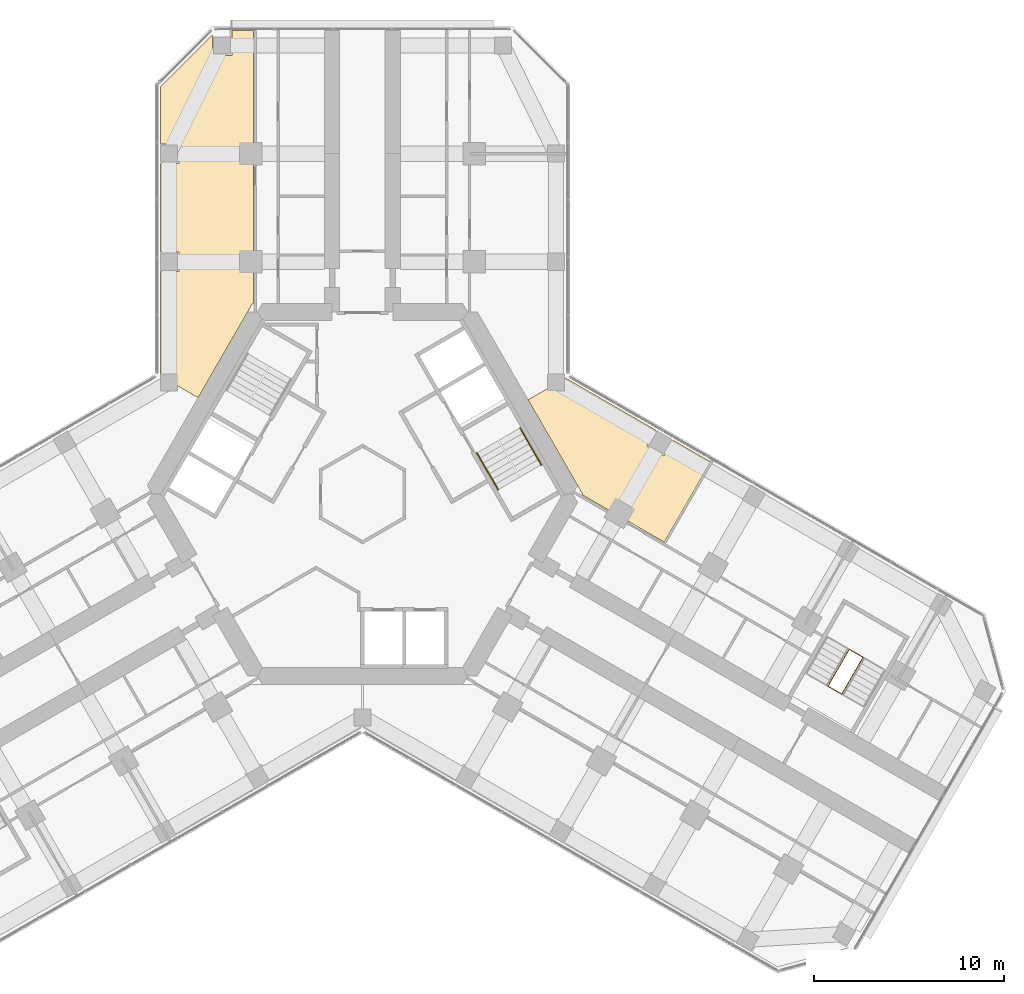
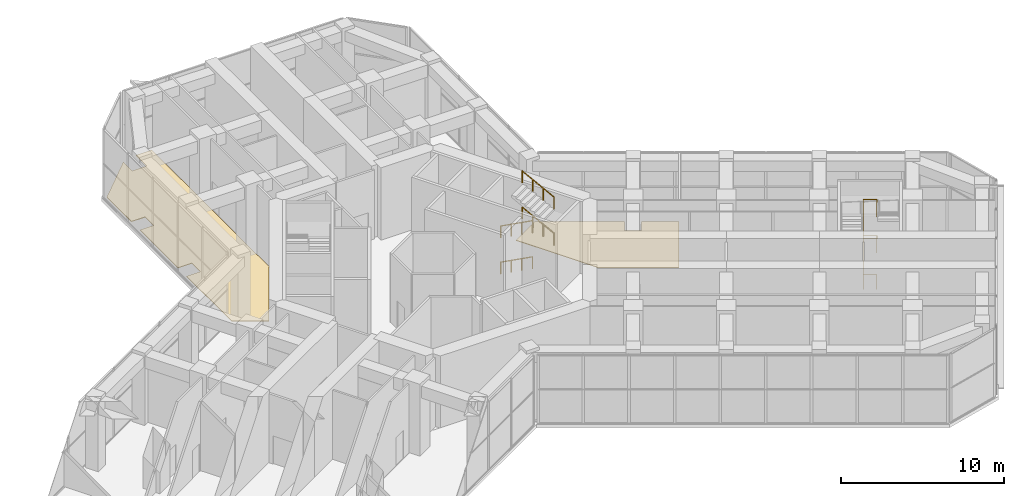
# One storey, part 20 of 20: 5 railings, 2 coverings.
"""IFC4 building model written with IfcOpenShell, lengths in metres."""

from ifc_helpers import new_model, si_unit, direction, frame, origin, origin_2d, place, context, subcontext, project, spatial, polyline, circle, outline, extrude, material, layer, layer_set, type_object, element, save


model = new_model("IFC4")

# Units and contexts
model_context = context("Model", 3, precision=1e-05, world=origin(), true_north=direction((0.0, 1.0)))
body_context = subcontext(model_context, "Body", "Model", "MODEL_VIEW")
ifc_project = project(units=[si_unit("LENGTHUNIT", "METRE"), si_unit("AREAUNIT", "SQUARE_METRE"), si_unit("VOLUMEUNIT", "CUBIC_METRE"), si_unit("PLANEANGLEUNIT", "RADIAN"), si_unit("MASSUNIT", "GRAM", prefix="KILO")], contexts=[model_context])

# Site, building, storey
site_placement = place(None, origin())
site = spatial("IfcSite", under=ifc_project, at=site_placement, CompositionType="ELEMENT")
building_placement = place(site_placement, origin())
building = spatial("IfcBuilding", under=site, at=building_placement, Name="Kosmar Iwan School Tower", CompositionType="ELEMENT")
storey_placement = place(building_placement, frame((0.0, 0.0, 152.60009765625)))
storey = spatial("IfcBuildingStorey", under=building, at=storey_placement, Name="L38", CompositionType="ELEMENT", Elevation=152.60009765625)

# Railings
ifc_material_1 = material(Name="Black steel", Category="steel")
railing_type_1 = type_object("IfcRailingType", Name="Stair handrail 900", PredefinedType="HANDRAIL", material=ifc_material_1)
railing_1_placement = place(storey_placement, frame((6.03466796875, 2.167724609375, 0.168701171875)))
element("IfcRailing", 1, at=railing_1_placement, inside=storey, type_object=railing_type_1, Name="Handrail ST1 flight 1", PredefinedType="HANDRAIL", context=body_context, shape_type="SweptSolid", body=[
    extrude(circle(Radius=0.02392578125, at=origin_2d()), frame((0.0, 0.0, 0.8759765625), z_axis=(0.442233264315, -0.766074889524, 0.466432206836), x_axis=(0.866054910533, 0.49994888933, 0.0)), (0.0, 0.0, 1.0), 2.5322265625),
    extrude(circle(Radius=0.02099609375, at=origin_2d()), origin(), (0.0, 0.0, 1.0), 0.851806640625),
    extrude(circle(Radius=0.02099609375, at=origin_2d()), frame((0.373291015625, -0.646728515625, 0.393798828125)), (0.0, 0.0, 1.0), 0.851806640625),
    extrude(circle(Radius=0.02099609375, at=origin_2d()), frame((0.74658203125, -1.293212890625, 0.787353515625)), (0.0, 0.0, 1.0), 0.851806640625),
    extrude(circle(Radius=0.02099609375, at=origin_2d()), frame((1.119873046875, -1.93994140625, 1.18115234375)), (0.0, 0.0, 1.0), 0.851806640625),
])
railing_2_placement = place(storey_placement, frame((9.432373046875, 1.542724609375, 1.5185546875)))
element("IfcRailing", 2, at=railing_2_placement, inside=storey, type_object=railing_type_1, Name="Handrail ST1 flight 2", PredefinedType="HANDRAIL", context=body_context, shape_type="SweptSolid", body=[
    extrude(circle(Radius=0.02392578125, at=origin_2d()), frame((0.0, 0.0, 0.8759765625), z_axis=(-0.442290925331, 0.766007779573, 0.466487747968), x_axis=(-0.866007717299, -0.500030632641, 0.0)), (0.0, 0.0, 1.0), 2.532470703125),
    extrude(circle(Radius=0.02099609375, at=origin_2d()), origin(), (0.0, 0.0, 1.0), 0.851806640625),
    extrude(circle(Radius=0.02099609375, at=origin_2d()), frame((-0.373291015625, 0.646728515625, 0.393798828125)), (0.0, 0.0, 1.0), 0.851806640625),
    extrude(circle(Radius=0.02099609375, at=origin_2d()), frame((-0.746826171875, 1.293212890625, 0.78759765625)), (0.0, 0.0, 1.0), 0.851806640625),
    extrude(circle(Radius=0.02099609375, at=origin_2d()), frame((-1.1201171875, 1.93994140625, 1.181396484375)), (0.0, 0.0, 1.0), 0.851806640625),
])
railing_3_placement = place(storey_placement, frame((6.03466796875, 2.167724609375, 2.86865234375)))
element("IfcRailing", 3, at=railing_3_placement, inside=storey, type_object=railing_type_1, Name="Handrail ST1 flight 3", PredefinedType="HANDRAIL", context=body_context, shape_type="SweptSolid", body=[
    extrude(circle(Radius=0.02392578125, at=origin_2d()), frame((0.0, 0.0, 0.8759765625), z_axis=(0.442233264315, -0.766074889524, 0.466432206836), x_axis=(0.866054910533, 0.49994888933, 0.0)), (0.0, 0.0, 1.0), 2.5322265625),
    extrude(circle(Radius=0.02099609375, at=origin_2d()), origin(), (0.0, 0.0, 1.0), 0.851806640625),
    extrude(circle(Radius=0.02099609375, at=origin_2d()), frame((0.373291015625, -0.646728515625, 0.393798828125)), (0.0, 0.0, 1.0), 0.851806640625),
    extrude(circle(Radius=0.02099609375, at=origin_2d()), frame((0.74658203125, -1.293212890625, 0.787353515625)), (0.0, 0.0, 1.0), 0.851806640625),
    extrude(circle(Radius=0.02099609375, at=origin_2d()), frame((1.119873046875, -1.93994140625, 1.18115234375)), (0.0, 0.0, 1.0), 0.851806640625),
])
railing_4_placement = place(storey_placement, frame((9.432373046875, 1.542724609375, 4.21875)))
element("IfcRailing", 4, at=railing_4_placement, inside=storey, type_object=railing_type_1, Name="Handrail ST1 flight 4", PredefinedType="HANDRAIL", context=body_context, shape_type="SweptSolid", body=[
    extrude(circle(Radius=0.02392578125, at=origin_2d()), frame((0.0, 0.0, 0.8759765625), z_axis=(-0.442310814531, 0.766042225863, 0.466412319246), x_axis=(-0.866007717299, -0.500030632641, 0.0)), (0.0, 0.0, 1.0), 2.532470703125),
    extrude(circle(Radius=0.02099609375, at=origin_2d()), origin(), (0.0, 0.0, 1.0), 0.851806640625),
    extrude(circle(Radius=0.02099609375, at=origin_2d()), frame((-0.373291015625, 0.646728515625, 0.393798828125)), (0.0, 0.0, 1.0), 0.851806640625),
    extrude(circle(Radius=0.02099609375, at=origin_2d()), frame((-0.746826171875, 1.293212890625, 0.787353515625)), (0.0, 0.0, 1.0), 0.851806640625),
    extrude(circle(Radius=0.02099609375, at=origin_2d()), frame((-1.1201171875, 1.93994140625, 1.18115234375)), (0.0, 0.0, 1.0), 0.851806640625),
])
ifc_material_2 = material(Name="Black steel", Category="steel")
railing_type_2 = type_object("IfcRailingType", Name="Stair well guard 1100", PredefinedType="GUARDRAIL", material=ifc_material_2)
railing_5_placement = place(storey_placement, frame((25.280029296875, -10.553955078125, 0.0)))
element("IfcRailing", 5, at=railing_5_placement, inside=storey, type_object=railing_type_2, Name="Stair WS3 L38 well guard", PredefinedType="GUARDRAIL", context=body_context, shape_type="SweptSolid", body=[
    extrude(circle(Radius=0.02392578125, at=origin_2d()), frame((0.0, 0.0, 1.076171875), z_axis=(-0.865962960534, 0.500108139288, 0.0), x_axis=(-0.500108139288, -0.865962960534, 0.0)), (0.0, 0.0, 1.0), 0.840087890625),
    extrude(circle(Radius=0.02392578125, at=origin_2d()), frame((-0.7275390625, 0.420166015625, 1.076171875), z_axis=(0.428236560348, 0.741735223886, 0.516180497528), x_axis=(-0.866027664105, 0.49999608499, 0.0)), (0.0, 0.0, 1.0), 2.614990234375),
    extrude(circle(Radius=0.02392578125, at=origin_2d()), frame((0.392333984375, 2.35986328125, 2.42578125), z_axis=(0.866088799389, -0.499890179513, 0.0), x_axis=(0.499890179513, 0.866088799389, 0.0)), (0.0, 0.0, 1.0), 0.840087890625),
    extrude(circle(Radius=0.02392578125, at=origin_2d()), frame((1.119873046875, 1.93994140625, 2.42578125), z_axis=(-0.428186274472, -0.741741473066, 0.516213232577), x_axis=(0.866054910533, -0.49994888933, 0.0)), (0.0, 0.0, 1.0), 2.615478515625),
    extrude(circle(Radius=0.02392578125, at=origin_2d()), frame((0.0, 0.0, 3.77587890625), z_axis=(-0.865962960534, 0.500108139288, 0.0), x_axis=(-0.500108139288, -0.865962960534, 0.0)), (0.0, 0.0, 1.0), 0.840087890625),
    extrude(circle(Radius=0.02392578125, at=origin_2d()), frame((-0.7275390625, 0.420166015625, 3.77587890625), z_axis=(0.428236560348, 0.741735223886, 0.516180497528), x_axis=(-0.866027664105, 0.49999608499, 0.0)), (0.0, 0.0, 1.0), 2.614990234375),
    extrude(circle(Radius=0.02392578125, at=origin_2d()), frame((0.392333984375, 2.35986328125, 5.1259765625), z_axis=(0.866088799389, -0.499890179513, 0.0), x_axis=(0.499890179513, 0.866088799389, 0.0)), (0.0, 0.0, 1.0), 0.840087890625),
    extrude(circle(Radius=0.02392578125, at=origin_2d()), frame((1.119873046875, 1.93994140625, 5.1259765625), z_axis=(-0.428186274472, -0.741741473066, 0.516213232577), x_axis=(0.866054910533, -0.49994888933, 0.0)), (0.0, 0.0, 1.0), 2.615478515625),
    extrude(circle(Radius=0.02099609375, at=origin_2d()), origin(), (0.0, 0.0, 1.0), 1.052001953125),
    extrude(circle(Radius=0.02099609375, at=origin_2d()), frame((-0.7275390625, 0.420166015625, 0.0)), (0.0, 0.0, 1.0), 1.052001953125),
    extrude(circle(Radius=0.02099609375, at=origin_2d()), frame((-0.354248046875, 1.066650390625, 0.449951171875)), (0.0, 0.0, 1.0), 1.052001953125),
    extrude(circle(Radius=0.02099609375, at=origin_2d()), frame((0.01904296875, 1.71337890625, 0.89990234375)), (0.0, 0.0, 1.0), 1.052001953125),
    extrude(circle(Radius=0.02099609375, at=origin_2d()), frame((0.392333984375, 2.35986328125, 1.349853515625)), (0.0, 0.0, 1.0), 1.052001953125),
    extrude(circle(Radius=0.02099609375, at=origin_2d()), frame((1.119873046875, 1.93994140625, 1.349853515625)), (0.0, 0.0, 1.0), 1.052001953125),
    extrude(circle(Radius=0.02099609375, at=origin_2d()), frame((0.74658203125, 1.293212890625, 1.7998046875)), (0.0, 0.0, 1.0), 1.052001953125),
    extrude(circle(Radius=0.02099609375, at=origin_2d()), frame((0.373291015625, 0.646728515625, 2.25)), (0.0, 0.0, 1.0), 1.052001953125),
    extrude(circle(Radius=0.02099609375, at=origin_2d()), frame((0.0, 0.0, 2.699951171875)), (0.0, 0.0, 1.0), 1.052001953125),
    extrude(circle(Radius=0.02099609375, at=origin_2d()), frame((-0.7275390625, 0.420166015625, 2.699951171875)), (0.0, 0.0, 1.0), 1.052001953125),
    extrude(circle(Radius=0.02099609375, at=origin_2d()), frame((-0.354248046875, 1.066650390625, 3.14990234375)), (0.0, 0.0, 1.0), 1.052001953125),
    extrude(circle(Radius=0.02099609375, at=origin_2d()), frame((0.01904296875, 1.71337890625, 3.599853515625)), (0.0, 0.0, 1.0), 1.052001953125),
    extrude(circle(Radius=0.02099609375, at=origin_2d()), frame((0.392333984375, 2.35986328125, 4.0498046875)), (0.0, 0.0, 1.0), 1.052001953125),
    extrude(circle(Radius=0.02099609375, at=origin_2d()), frame((1.119873046875, 1.93994140625, 4.0498046875)), (0.0, 0.0, 1.0), 1.052001953125),
    extrude(circle(Radius=0.02099609375, at=origin_2d()), frame((0.74658203125, 1.293212890625, 4.499755859375)), (0.0, 0.0, 1.0), 1.052001953125),
    extrude(circle(Radius=0.02099609375, at=origin_2d()), frame((0.373291015625, 0.646728515625, 4.949951171875)), (0.0, 0.0, 1.0), 1.052001953125),
    extrude(circle(Radius=0.02099609375, at=origin_2d()), frame((0.0, 0.0, 5.39990234375)), (0.0, 0.0, 1.0), 1.052001953125),
])

# Coverings
ifc_material_3 = material(Name="Honed limestone on mortar bed", Category="masonry")
ifc_layer = layer(ifc_material_3, 0.0400390625)
ifc_layer_set = layer_set([ifc_layer], Name="Winter garden stone flooring 40")
covering_type = type_object("IfcCoveringType", Name="Winter garden stone flooring 40", PredefinedType="FLOORING", material=ifc_layer_set)
covering_1_placement = place(storey_placement, origin())
element("IfcCovering", 6, at=covering_1_placement, inside=storey, type_object=covering_type, Name="Winter garden flooring L38-AL1-F1", PredefinedType="FLOORING", context=body_context, shape_type="SweptSolid", body=[
    extrude(outline(polyline([(-8.67236328125, 5.0791015625), (-5.802490234375, 10.050048828125), (-5.760009765625, 10.050048828125), (-5.760009765625, 24.449951171875), (-6.8798828125, 24.449951171875), (-6.8798828125, 23.1298828125), (-7.919921875, 23.1298828125), (-7.919921875, 24.209228515625), (-10.64990234375, 21.479248046875), (-10.64990234375, 18.469970703125), (-9.679931640625, 18.469970703125), (-9.679931640625, 17.429931640625), (-10.64990234375, 17.429931640625), (-10.64990234375, 12.77001953125), (-9.679931640625, 12.77001953125), (-9.679931640625, 11.72998046875), (-10.64990234375, 11.72998046875), (-10.64990234375, 6.224365234375), (-8.67236328125, 5.0791015625)])), origin(), (0.0, 0.0, 1.0), 0.039794921875),
])
covering_2_placement = place(storey_placement, origin())
element("IfcCovering", 7, at=covering_2_placement, inside=storey, type_object=covering_type, Name="Winter garden flooring L38-CL1-F1", PredefinedType="FLOORING", context=body_context, shape_type="SweptSolid", body=[
    extrude(outline(polyline([(15.91357421875, -2.53662109375), (18.358642578125, 1.6982421875), (16.384033203125, 2.838134765625), (15.899169921875, 1.998046875), (14.99853515625, 2.51806640625), (15.4833984375, 3.358154296875), (10.71533203125, 6.111083984375), (8.73486328125, 4.970703125), (11.604736328125, 0.0), (11.58349609375, -0.03662109375), (15.91357421875, -2.53662109375)])), origin(), (0.0, 0.0, 1.0), 0.039794921875),
])

save(model, "model.ifc")
